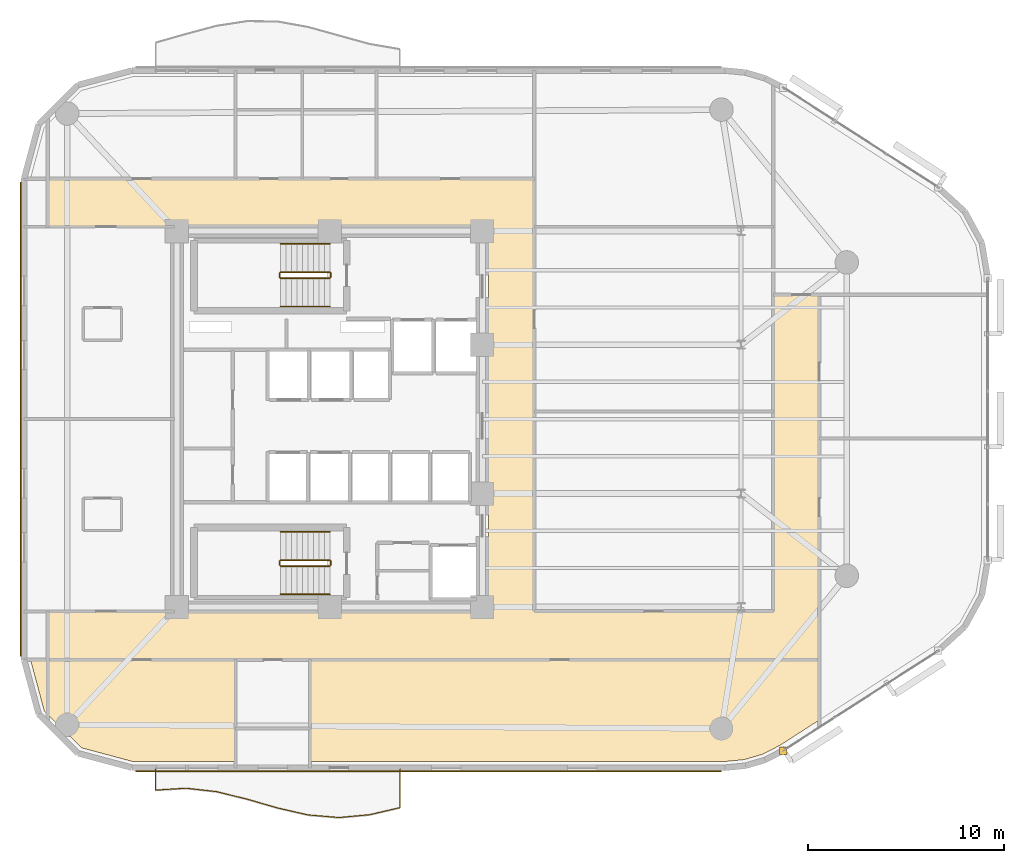
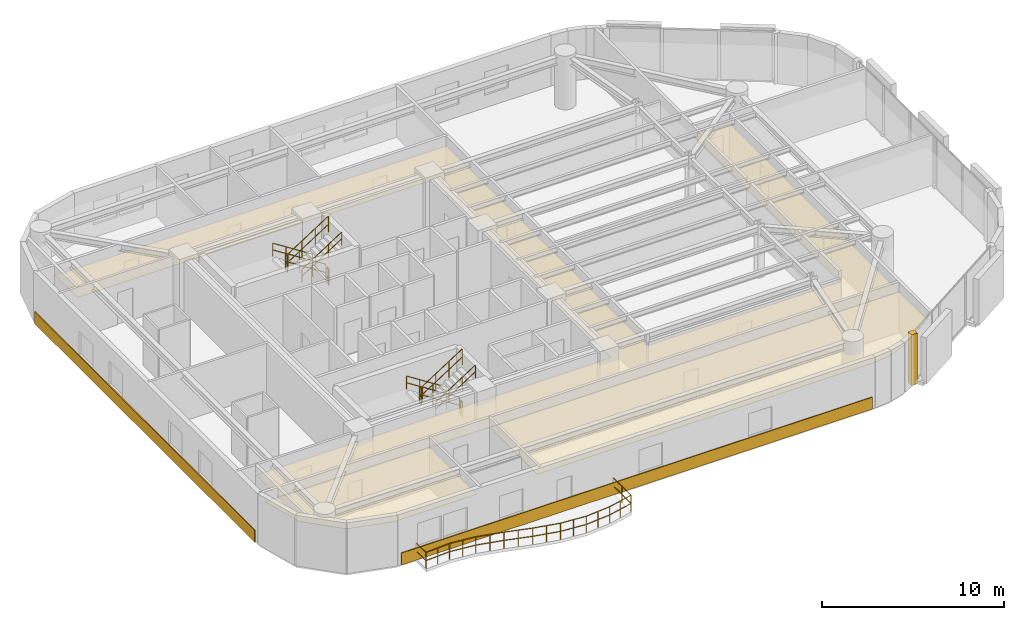
# One storey, part 14 of 15: 13 railings, 6 coverings.
"""IFC4 building model written with IfcOpenShell, lengths in metres."""

from ifc_helpers import new_model, si_unit, direction, frame, origin, origin_2d, place, context, subcontext, project, spatial, polyline, rectangle, circle, outline, extrude, material, layer, layer_set, type_object, element, save


model = new_model("IFC4")

# Units and contexts
model_context = context("Model", 3, precision=1e-05, world=origin(), true_north=direction((0.0, 1.0)))
body_context = subcontext(model_context, "Body", "Model", "MODEL_VIEW")
ifc_project = project(units=[si_unit("LENGTHUNIT", "METRE"), si_unit("AREAUNIT", "SQUARE_METRE"), si_unit("VOLUMEUNIT", "CUBIC_METRE"), si_unit("PLANEANGLEUNIT", "RADIAN"), si_unit("MASSUNIT", "GRAM", prefix="KILO")], contexts=[model_context])

# Site, building, storey
site_placement = place(None, origin())
site = spatial("IfcSite", under=ifc_project, at=site_placement, CompositionType="ELEMENT")
building_placement = place(site_placement, origin())
building = spatial("IfcBuilding", under=site, at=building_placement, Name="An Khanh Terracotta Commons", CompositionType="ELEMENT")
storey_placement = place(building_placement, frame((0.0, 0.0, 169.0)))
storey = spatial("IfcBuildingStorey", under=building, at=storey_placement, Name="L44", CompositionType="ELEMENT", Elevation=169.0)

# Coverings
ifc_material_1 = material(Name="Perforated Mineral-Fibre Acoustic Tile")
ifc_layer_1 = layer(ifc_material_1, 0.02001953125, Name="Perforated Mineral-Fibre Acoustic Tile")
ifc_layer_set_1 = layer_set([ifc_layer_1], Name="Perforated Mineral-Fibre Acoustic Tile")
covering_type_1 = type_object("IfcCoveringType", Name="CEIL-ACOUSTIC-18", PredefinedType="CEILING", material=ifc_layer_set_1)
covering_1_placement = place(storey_placement, frame((0.0, 0.0, 2.64990234375)))
element("IfcCovering", 1, at=covering_1_placement, inside=storey, type_object=covering_type_1, Name="L44 Corridor Ceiling", PredefinedType="CEILING", context=body_context, shape_type="SweptSolid", body=[
    extrude(outline(polyline([(52.050048828125, 30.35009765625), (54.39990234375, 30.35009765625), (54.39990234375, 14.179931640625), (54.39990234375, 11.719970703125), (52.050048828125, 11.719970703125), (39.85009765625, 11.719970703125), (37.5, 11.719970703125), (15.0, 11.719970703125), (15.0, 14.179931640625), (37.5, 14.179931640625), (37.5, 33.820068359375), (15.0, 33.820068359375), (15.0, 36.280029296875), (37.5, 36.280029296875), (39.85009765625, 36.280029296875), (39.85009765625, 33.820068359375), (39.85009765625, 14.179931640625), (52.050048828125, 14.179931640625), (52.050048828125, 30.35009765625)])), origin(), (0.0, 0.0, 1.0), 0.02001953125),
])
covering_2_placement = place(storey_placement, frame((0.0, 0.0, 2.64990234375)))
element("IfcCovering", 2, at=covering_2_placement, inside=storey, type_object=covering_type_1, Name="L44 Academic Seminar Room Ceiling", PredefinedType="CEILING", context=body_context, shape_type="SweptSolid", body=[
    extrude(outline(polyline([(19.342041015625, 6.52001953125), (16.716064453125, 7.22412109375), (14.823974609375, 9.115966796875), (14.1259765625, 11.719970703125), (15.0, 11.719970703125), (24.60009765625, 11.719970703125), (24.60009765625, 8.199951171875), (24.60009765625, 6.52001953125), (19.342041015625, 6.52001953125)])), origin(), (0.0, 0.0, 1.0), 0.02001953125),
])
covering_3_placement = place(storey_placement, frame((0.0, 0.0, 2.64990234375)))
element("IfcCovering", 3, at=covering_3_placement, inside=storey, type_object=covering_type_1, Name="L44 Academic Seminar Room Ceiling", PredefinedType="CEILING", context=body_context, shape_type="SweptSolid", body=[
    extrude(outline(polyline([(52.39892578125, 7.35302734375), (51.510009765625, 6.89306640625), (50.56396484375, 6.615966796875), (49.56689453125, 6.52001953125), (28.39990234375, 6.52001953125), (28.39990234375, 8.199951171875), (28.39990234375, 11.719970703125), (37.5, 11.719970703125), (39.85009765625, 11.719970703125), (52.050048828125, 11.719970703125), (54.39990234375, 11.719970703125), (54.39990234375, 8.64208984375), (52.39892578125, 7.35302734375)])), origin(), (0.0, 0.0, 1.0), 0.02001953125),
])
ifc_material_2 = material(Name="Fired Terracotta Rainscreen Cladding", Category="masonry")
ifc_layer_2 = layer(ifc_material_2, 0.080078125, Name="Fired Terracotta Rainscreen Cladding")
ifc_layer_set_2 = layer_set([ifc_layer_2], Name="Fired Terracotta Rainscreen Cladding")
covering_type_2 = type_object("IfcCoveringType", Name="COV-JAMB-TERRA", PredefinedType="CLADDING", material=ifc_layer_set_2)
covering_4_placement = place(storey_placement, frame((52.56005859375, 7.075927734375, 0.0), z_axis=(0.0, 0.0, 1.0), x_axis=(1.0, 0.0, 0.0)))
element("IfcCovering", 4, at=covering_4_placement, inside=storey, type_object=covering_type_2, Name="L44 CW-03 Curtain-Wall Jamb Closure JA", PredefinedType="CLADDING", context=body_context, shape_type="SweptSolid", body=[
    extrude(rectangle(XDim=0.3798828125, YDim=0.3798828125, at=origin_2d()), origin(), (0.0, 0.0, 1.0), 3.39990234375),
])
ifc_layer_3 = layer(ifc_material_2, 0.06005859375, Name="Fired Terracotta Rainscreen Cladding")
ifc_layer_set_3 = layer_set([ifc_layer_3], Name="Fired Terracotta Rainscreen Cladding")
covering_type_3 = type_object("IfcCoveringType", Name="COV-SPANDREL-TERRA", PredefinedType="CLADDING", material=ifc_layer_set_3)
covering_5_placement = place(storey_placement, frame((34.44091796875, 6.02001953125, 0.02001953125), z_axis=(0.0, 0.0, 1.0), x_axis=(1.0, 0.0, 0.0)))
element("IfcCovering", 5, at=covering_5_placement, inside=storey, type_object=covering_type_3, Name="L44 Terracotta Spandrel Cladding 4", PredefinedType="CLADDING", context=body_context, shape_type="SweptSolid", body=[
    extrude(rectangle(XDim=29.882080078125, YDim=0.06005859375, at=origin_2d()), origin(), (0.0, 0.0, 1.0), 0.800048828125),
])
covering_6_placement = place(storey_placement, frame((13.6201171875, 24.0, 0.02001953125), z_axis=(0.0, 0.0, 1.0), x_axis=(0.0, -1.0, 0.0)))
element("IfcCovering", 6, at=covering_6_placement, inside=storey, type_object=covering_type_3, Name="L44 Terracotta Spandrel Cladding 24", PredefinedType="CLADDING", context=body_context, shape_type="SweptSolid", body=[
    extrude(rectangle(XDim=24.199951171875, YDim=0.06005859375, at=origin_2d()), origin(), (0.0, 0.0, 1.0), 0.800048828125),
])

# Railings
ifc_material_3 = material(Name="Brushed Stainless Steel 316", Category="steel")
railing_type_1 = type_object("IfcRailingType", Name="RAIL-BALUSTRADE-1100", PredefinedType="BALUSTRADE", material=ifc_material_3)
railing_1_placement = place(storey_placement, frame((20.5, 6.139892578125, 0.0)))
element("IfcRailing", 7, at=railing_1_placement, inside=storey, type_object=railing_type_1, Name="L44 S Wave Balcony Guard Balustrade", PredefinedType="BALUSTRADE", context=body_context, shape_type="SweptSolid", body=[
    extrude(circle(Radius=0.02392578125, at=origin_2d()), frame((0.0, 0.0, 1.076171875), z_axis=(0.0, -1.0, 0.0), x_axis=(1.0, 0.0, 0.0)), (0.0, 0.0, 1.0), 1.079833984375),
    extrude(circle(Radius=0.02392578125, at=origin_2d()), frame((0.0, 0.0, 0.52587890625), z_axis=(0.0, -1.0, 0.0), x_axis=(1.0, 0.0, 0.0)), (0.0, 0.0, 1.0), 1.079833984375),
    extrude(circle(Radius=0.02392578125, at=origin_2d()), frame((0.0, -1.079833984375, 1.076171875), z_axis=(0.998080400461, 0.061931528444, 0.0), x_axis=(-0.061931528444, 0.998080400461, 0.0)), (0.0, 0.0, 1.0), 1.56494140625),
    extrude(circle(Radius=0.02392578125, at=origin_2d()), frame((0.0, -1.079833984375, 0.52587890625), z_axis=(0.998080400461, 0.061931528444, 0.0), x_axis=(-0.061931528444, 0.998080400461, 0.0)), (0.0, 0.0, 1.0), 1.56494140625),
    extrude(circle(Radius=0.02392578125, at=origin_2d()), frame((1.56201171875, -0.98291015625, 1.076171875), z_axis=(0.993786808935, -0.111300397064, 0.0), x_axis=(0.111300397064, 0.993786808935, 0.0)), (0.0, 0.0, 1.0), 1.57275390625),
    extrude(circle(Radius=0.02392578125, at=origin_2d()), frame((1.56201171875, -0.98291015625, 0.52587890625), z_axis=(0.993786808935, -0.111300397064, 0.0), x_axis=(0.111300397064, 0.993786808935, 0.0)), (0.0, 0.0, 1.0), 1.57275390625),
    extrude(circle(Radius=0.02392578125, at=origin_2d()), frame((3.125, -1.157958984375, 1.076171875), z_axis=(0.971116076052, -0.238607558205, 0.0), x_axis=(0.238607558205, 0.971116076052, 0.0)), (0.0, 0.0, 1.0), 1.609375),
    extrude(circle(Radius=0.02392578125, at=origin_2d()), frame((3.125, -1.157958984375, 0.52587890625), z_axis=(0.971116076052, -0.238607558205, 0.0), x_axis=(0.238607558205, 0.971116076052, 0.0)), (0.0, 0.0, 1.0), 1.609375),
    extrude(circle(Radius=0.02392578125, at=origin_2d()), frame((4.68798828125, -1.5419921875, 1.076171875), z_axis=(0.960606465703, -0.27791224883, 0.0), x_axis=(0.27791224883, 0.960606465703, 0.0)), (0.0, 0.0, 1.0), 1.6259765625),
    extrude(circle(Radius=0.02392578125, at=origin_2d()), frame((4.68798828125, -1.5419921875, 0.52587890625), z_axis=(0.960606465703, -0.27791224883, 0.0), x_axis=(0.27791224883, 0.960606465703, 0.0)), (0.0, 0.0, 1.0), 1.6259765625),
    extrude(circle(Radius=0.02392578125, at=origin_2d()), frame((6.25, -1.993896484375, 1.076171875), z_axis=(0.975003951469, -0.222187521295, 0.0), x_axis=(0.222187521295, 0.975003951469, 0.0)), (0.0, 0.0, 1.0), 1.60205078125),
    extrude(circle(Radius=0.02392578125, at=origin_2d()), frame((6.25, -1.993896484375, 0.52587890625), z_axis=(0.975003951469, -0.222187521295, 0.0), x_axis=(0.222187521295, 0.975003951469, 0.0)), (0.0, 0.0, 1.0), 1.60205078125),
    extrude(circle(Radius=0.02392578125, at=origin_2d()), frame((7.81201171875, -2.349853515625, 1.076171875), z_axis=(0.99655219646, -0.082968185054, 0.0), x_axis=(0.082968185054, 0.99655219646, 0.0)), (0.0, 0.0, 1.0), 1.568359375),
    extrude(circle(Radius=0.02392578125, at=origin_2d()), frame((7.81201171875, -2.349853515625, 0.52587890625), z_axis=(0.99655219646, -0.082968185054, 0.0), x_axis=(0.082968185054, 0.99655219646, 0.0)), (0.0, 0.0, 1.0), 1.568359375),
    extrude(circle(Radius=0.02392578125, at=origin_2d()), frame((9.375, -2.47998046875, 1.076171875), z_axis=(0.995780247509, 0.091769813501, 0.0), x_axis=(-0.091769813501, 0.995780247509, 0.0)), (0.0, 0.0, 1.0), 1.569580078125),
    extrude(circle(Radius=0.02392578125, at=origin_2d()), frame((9.375, -2.47998046875, 0.52587890625), z_axis=(0.995780247509, 0.091769813501, 0.0), x_axis=(-0.091769813501, 0.995780247509, 0.0)), (0.0, 0.0, 1.0), 1.569580078125),
    extrude(circle(Radius=0.02392578125, at=origin_2d()), frame((10.93798828125, -2.3359375, 1.076171875), z_axis=(0.973769311576, 0.227537530604, 0.0), x_axis=(-0.227537530604, 0.973769311576, 0.0)), (0.0, 0.0, 1.0), 1.60400390625),
    extrude(circle(Radius=0.02392578125, at=origin_2d()), frame((10.93798828125, -2.3359375, 0.52587890625), z_axis=(0.973769311576, 0.227537530604, 0.0), x_axis=(-0.227537530604, 0.973769311576, 0.0)), (0.0, 0.0, 1.0), 1.60400390625),
    extrude(circle(Radius=0.02392578125, at=origin_2d()), frame((12.5, -1.970947265625, 1.076171875), z_axis=(0.0, 1.0, 0.0), x_axis=(-1.0, 0.0, 0.0)), (0.0, 0.0, 1.0), 1.970947265625),
    extrude(circle(Radius=0.02392578125, at=origin_2d()), frame((12.5, -1.970947265625, 0.52587890625), z_axis=(0.0, 1.0, 0.0), x_axis=(-1.0, 0.0, 0.0)), (0.0, 0.0, 1.0), 1.970947265625),
    extrude(circle(Radius=0.02099609375, at=origin_2d()), origin(), (0.0, 0.0, 1.0), 1.052001953125),
    extrude(circle(Radius=0.02099609375, at=origin_2d()), frame((0.0, -1.079833984375, 0.0)), (0.0, 0.0, 1.0), 1.052001953125),
    extrude(circle(Radius=0.02099609375, at=origin_2d()), frame((0.781005859375, -1.03125, 0.0)), (0.0, 0.0, 1.0), 1.052001953125),
    extrude(circle(Radius=0.02099609375, at=origin_2d()), frame((1.56201171875, -0.98291015625, 0.0)), (0.0, 0.0, 1.0), 1.052001953125),
    extrude(circle(Radius=0.02099609375, at=origin_2d()), frame((2.343505859375, -1.0703125, 0.0)), (0.0, 0.0, 1.0), 1.052001953125),
    extrude(circle(Radius=0.02099609375, at=origin_2d()), frame((3.125, -1.157958984375, 0.0)), (0.0, 0.0, 1.0), 1.052001953125),
    extrude(circle(Radius=0.02099609375, at=origin_2d()), frame((3.906494140625, -1.35009765625, 0.0)), (0.0, 0.0, 1.0), 1.052001953125),
    extrude(circle(Radius=0.02099609375, at=origin_2d()), frame((4.68798828125, -1.5419921875, 0.0)), (0.0, 0.0, 1.0), 1.052001953125),
    extrude(circle(Radius=0.02099609375, at=origin_2d()), frame((5.468994140625, -1.76806640625, 0.0)), (0.0, 0.0, 1.0), 1.052001953125),
    extrude(circle(Radius=0.02099609375, at=origin_2d()), frame((6.25, -1.993896484375, 0.0)), (0.0, 0.0, 1.0), 1.052001953125),
    extrude(circle(Radius=0.02099609375, at=origin_2d()), frame((7.031005859375, -2.171875, 0.0)), (0.0, 0.0, 1.0), 1.052001953125),
    extrude(circle(Radius=0.02099609375, at=origin_2d()), frame((7.81201171875, -2.349853515625, 0.0)), (0.0, 0.0, 1.0), 1.052001953125),
    extrude(circle(Radius=0.02099609375, at=origin_2d()), frame((8.593505859375, -2.4150390625, 0.0)), (0.0, 0.0, 1.0), 1.052001953125),
    extrude(circle(Radius=0.02099609375, at=origin_2d()), frame((9.375, -2.47998046875, 0.0)), (0.0, 0.0, 1.0), 1.052001953125),
    extrude(circle(Radius=0.02099609375, at=origin_2d()), frame((10.156494140625, -2.407958984375, 0.0)), (0.0, 0.0, 1.0), 1.052001953125),
    extrude(circle(Radius=0.02099609375, at=origin_2d()), frame((10.93798828125, -2.3359375, 0.0)), (0.0, 0.0, 1.0), 1.052001953125),
    extrude(circle(Radius=0.02099609375, at=origin_2d()), frame((11.718994140625, -2.1533203125, 0.0)), (0.0, 0.0, 1.0), 1.052001953125),
    extrude(circle(Radius=0.02099609375, at=origin_2d()), frame((12.5, -1.970947265625, 0.0)), (0.0, 0.0, 1.0), 1.052001953125),
    extrude(circle(Radius=0.02099609375, at=origin_2d()), frame((12.5, -0.9853515625, 0.0)), (0.0, 0.0, 1.0), 1.052001953125),
    extrude(circle(Radius=0.02099609375, at=origin_2d()), frame((12.5, 0.0, 0.0)), (0.0, 0.0, 1.0), 1.052001953125),
])
railing_type_2 = type_object("IfcRailingType", Name="RAIL-HANDRAIL-900", PredefinedType="HANDRAIL", material=ifc_material_3)
railing_2_placement = place(storey_placement, frame((29.409912109375, 32.949951171875, 0.179931640625)))
element("IfcRailing", 8, at=railing_2_placement, inside=storey, type_object=railing_type_2, Name="L44 ST-01 stair handrail 1", PredefinedType="HANDRAIL", context=body_context, shape_type="SweptSolid", body=[
    extrude(circle(Radius=0.02392578125, at=origin_2d()), frame((0.0, 0.0, 0.8759765625), z_axis=(-0.841162588446, 0.0, 0.540782303519), x_axis=(0.0, -1.0, 0.0)), (0.0, 0.0, 1.0), 2.995849609375),
    extrude(circle(Radius=0.02392578125, at=origin_2d()), frame((0.0, 0.0, 0.42578125), z_axis=(-0.841162588446, 0.0, 0.540782303519), x_axis=(0.0, -1.0, 0.0)), (0.0, 0.0, 1.0), 2.995849609375),
    extrude(circle(Radius=0.02099609375, at=origin_2d()), origin(), (0.0, 0.0, 1.0), 0.851806640625),
    extrude(circle(Radius=0.02099609375, at=origin_2d()), frame((-0.840087890625, 0.0, 0.5400390625)), (0.0, 0.0, 1.0), 0.851806640625),
    extrude(circle(Radius=0.02099609375, at=origin_2d()), frame((-1.679931640625, 0.0, 1.080078125)), (0.0, 0.0, 1.0), 0.851806640625),
    extrude(circle(Radius=0.02099609375, at=origin_2d()), frame((-2.52001953125, 0.0, 1.6201171875)), (0.0, 0.0, 1.0), 0.851806640625),
])
railing_3_placement = place(storey_placement, frame((26.889892578125, 29.75, 1.97998046875)))
element("IfcRailing", 9, at=railing_3_placement, inside=storey, type_object=railing_type_2, Name="L44 ST-01 stair handrail 2", PredefinedType="HANDRAIL", context=body_context, shape_type="SweptSolid", body=[
    extrude(circle(Radius=0.02392578125, at=origin_2d()), frame((0.0, 0.0, 0.8759765625), z_axis=(0.841162588446, 0.0, 0.540782303519), x_axis=(0.0, 1.0, 0.0)), (0.0, 0.0, 1.0), 2.995849609375),
    extrude(circle(Radius=0.02392578125, at=origin_2d()), frame((0.0, 0.0, 0.42578125), z_axis=(0.841162588446, 0.0, 0.540782303519), x_axis=(0.0, 1.0, 0.0)), (0.0, 0.0, 1.0), 2.995849609375),
    extrude(circle(Radius=0.02099609375, at=origin_2d()), origin(), (0.0, 0.0, 1.0), 0.851806640625),
    extrude(circle(Radius=0.02099609375, at=origin_2d()), frame((0.840087890625, 0.0, 0.5400390625)), (0.0, 0.0, 1.0), 0.851806640625),
    extrude(circle(Radius=0.02099609375, at=origin_2d()), frame((1.679931640625, 0.0, 1.080078125)), (0.0, 0.0, 1.0), 0.851806640625),
    extrude(circle(Radius=0.02099609375, at=origin_2d()), frame((2.52001953125, 0.0, 1.6201171875)), (0.0, 0.0, 1.0), 0.851806640625),
])
railing_4_placement = place(storey_placement, frame((29.409912109375, 18.25, 0.179931640625)))
element("IfcRailing", 10, at=railing_4_placement, inside=storey, type_object=railing_type_2, Name="L44 ST-02 stair handrail 1", PredefinedType="HANDRAIL", context=body_context, shape_type="SweptSolid", body=[
    extrude(circle(Radius=0.02392578125, at=origin_2d()), frame((0.0, 0.0, 0.8759765625), z_axis=(-0.841162588446, 0.0, 0.540782303519), x_axis=(0.0, -1.0, 0.0)), (0.0, 0.0, 1.0), 2.995849609375),
    extrude(circle(Radius=0.02392578125, at=origin_2d()), frame((0.0, 0.0, 0.42578125), z_axis=(-0.841162588446, 0.0, 0.540782303519), x_axis=(0.0, -1.0, 0.0)), (0.0, 0.0, 1.0), 2.995849609375),
    extrude(circle(Radius=0.02099609375, at=origin_2d()), origin(), (0.0, 0.0, 1.0), 0.851806640625),
    extrude(circle(Radius=0.02099609375, at=origin_2d()), frame((-0.840087890625, 0.0, 0.5400390625)), (0.0, 0.0, 1.0), 0.851806640625),
    extrude(circle(Radius=0.02099609375, at=origin_2d()), frame((-1.679931640625, 0.0, 1.080078125)), (0.0, 0.0, 1.0), 0.851806640625),
    extrude(circle(Radius=0.02099609375, at=origin_2d()), frame((-2.52001953125, 0.0, 1.6201171875)), (0.0, 0.0, 1.0), 0.851806640625),
])
railing_5_placement = place(storey_placement, frame((26.889892578125, 15.050048828125, 1.97998046875)))
element("IfcRailing", 11, at=railing_5_placement, inside=storey, type_object=railing_type_2, Name="L44 ST-02 stair handrail 2", PredefinedType="HANDRAIL", context=body_context, shape_type="SweptSolid", body=[
    extrude(circle(Radius=0.02392578125, at=origin_2d()), frame((0.0, 0.0, 0.8759765625), z_axis=(0.841162588446, 0.0, 0.540782303519), x_axis=(0.0, 1.0, 0.0)), (0.0, 0.0, 1.0), 2.995849609375),
    extrude(circle(Radius=0.02392578125, at=origin_2d()), frame((0.0, 0.0, 0.42578125), z_axis=(0.841162588446, 0.0, 0.540782303519), x_axis=(0.0, 1.0, 0.0)), (0.0, 0.0, 1.0), 2.995849609375),
    extrude(circle(Radius=0.02099609375, at=origin_2d()), origin(), (0.0, 0.0, 1.0), 0.851806640625),
    extrude(circle(Radius=0.02099609375, at=origin_2d()), frame((0.840087890625, 0.0, 0.5400390625)), (0.0, 0.0, 1.0), 0.851806640625),
    extrude(circle(Radius=0.02099609375, at=origin_2d()), frame((1.679931640625, 0.0, 1.080078125)), (0.0, 0.0, 1.0), 0.851806640625),
    extrude(circle(Radius=0.02099609375, at=origin_2d()), frame((2.52001953125, 0.0, 1.6201171875)), (0.0, 0.0, 1.0), 0.851806640625),
])
ifc_material_4 = material(Name="Powder-Coated Steel S355J2", Category="steel")
railing_type_3 = type_object("IfcRailingType", Name="RAIL-STAIR-GUARD-1100", PredefinedType="BALUSTRADE", material=ifc_material_4)
railing_6_placement = place(storey_placement, frame((29.409912109375, 31.5, 0.179931640625)))
element("IfcRailing", 12, at=railing_6_placement, inside=storey, type_object=railing_type_3, Name="L44 ST-01 stair guard 1", PredefinedType="BALUSTRADE", context=body_context, shape_type="SweptSolid", body=[
    extrude(circle(Radius=0.02392578125, at=origin_2d()), frame((0.0, 0.0, 1.076171875), z_axis=(-0.841162588446, 0.0, 0.540782303519), x_axis=(0.0, -1.0, 0.0)), (0.0, 0.0, 1.0), 2.995849609375),
    extrude(circle(Radius=0.02392578125, at=origin_2d()), frame((0.0, 0.0, 0.52587890625), z_axis=(-0.841162588446, 0.0, 0.540782303519), x_axis=(0.0, -1.0, 0.0)), (0.0, 0.0, 1.0), 2.995849609375),
    extrude(circle(Radius=0.02099609375, at=origin_2d()), origin(), (0.0, 0.0, 1.0), 1.052001953125),
    extrude(circle(Radius=0.02099609375, at=origin_2d()), frame((-0.840087890625, 0.0, 0.5400390625)), (0.0, 0.0, 1.0), 1.052001953125),
    extrude(circle(Radius=0.02099609375, at=origin_2d()), frame((-1.679931640625, 0.0, 1.080078125)), (0.0, 0.0, 1.0), 1.052001953125),
    extrude(circle(Radius=0.02099609375, at=origin_2d()), frame((-2.52001953125, 0.0, 1.6201171875)), (0.0, 0.0, 1.0), 1.052001953125),
])
railing_7_placement = place(storey_placement, frame((26.840087890625, 31.449951171875, 1.800048828125)))
element("IfcRailing", 13, at=railing_7_placement, inside=storey, type_object=railing_type_3, Name="L44 ST-01 stair guard 2", PredefinedType="BALUSTRADE", context=body_context, shape_type="SweptSolid", body=[
    extrude(circle(Radius=0.02392578125, at=origin_2d()), frame((0.0, 0.0, 1.076171875), z_axis=(0.0, -1.0, 0.0), x_axis=(1.0, 0.0, 0.0)), (0.0, 0.0, 1.0), 0.199951171875),
    extrude(circle(Radius=0.02392578125, at=origin_2d()), frame((0.0, 0.0, 0.52587890625), z_axis=(0.0, -1.0, 0.0), x_axis=(1.0, 0.0, 0.0)), (0.0, 0.0, 1.0), 0.199951171875),
    extrude(circle(Radius=0.02099609375, at=origin_2d()), origin(), (0.0, 0.0, 1.0), 1.052001953125),
    extrude(circle(Radius=0.02099609375, at=origin_2d()), frame((0.0, -0.199951171875, 0.0)), (0.0, 0.0, 1.0), 1.052001953125),
])
railing_8_placement = place(storey_placement, frame((26.889892578125, 31.199951171875, 1.97998046875)))
element("IfcRailing", 14, at=railing_8_placement, inside=storey, type_object=railing_type_3, Name="L44 ST-01 stair guard 3", PredefinedType="BALUSTRADE", context=body_context, shape_type="SweptSolid", body=[
    extrude(circle(Radius=0.02392578125, at=origin_2d()), frame((0.0, 0.0, 1.076171875), z_axis=(0.841162588446, 0.0, 0.540782303519), x_axis=(0.0, 1.0, 0.0)), (0.0, 0.0, 1.0), 2.995849609375),
    extrude(circle(Radius=0.02392578125, at=origin_2d()), frame((0.0, 0.0, 0.52587890625), z_axis=(0.841162588446, 0.0, 0.540782303519), x_axis=(0.0, 1.0, 0.0)), (0.0, 0.0, 1.0), 2.995849609375),
    extrude(circle(Radius=0.02099609375, at=origin_2d()), origin(), (0.0, 0.0, 1.0), 1.052001953125),
    extrude(circle(Radius=0.02099609375, at=origin_2d()), frame((0.840087890625, 0.0, 0.5400390625)), (0.0, 0.0, 1.0), 1.052001953125),
    extrude(circle(Radius=0.02099609375, at=origin_2d()), frame((1.679931640625, 0.0, 1.080078125)), (0.0, 0.0, 1.0), 1.052001953125),
    extrude(circle(Radius=0.02099609375, at=origin_2d()), frame((2.52001953125, 0.0, 1.6201171875)), (0.0, 0.0, 1.0), 1.052001953125),
])
railing_9_placement = place(storey_placement, frame((29.4599609375, 31.449951171875, 0.0)))
element("IfcRailing", 15, at=railing_9_placement, inside=storey, type_object=railing_type_3, Name="L44 ST-01 stair guard 4", PredefinedType="BALUSTRADE", context=body_context, shape_type="SweptSolid", body=[
    extrude(circle(Radius=0.02392578125, at=origin_2d()), frame((0.0, 0.0, 1.076171875), z_axis=(0.0, -1.0, 0.0), x_axis=(1.0, 0.0, 0.0)), (0.0, 0.0, 1.0), 0.199951171875),
    extrude(circle(Radius=0.02392578125, at=origin_2d()), frame((0.0, 0.0, 0.52587890625), z_axis=(0.0, -1.0, 0.0), x_axis=(1.0, 0.0, 0.0)), (0.0, 0.0, 1.0), 0.199951171875),
    extrude(circle(Radius=0.02099609375, at=origin_2d()), origin(), (0.0, 0.0, 1.0), 1.052001953125),
    extrude(circle(Radius=0.02099609375, at=origin_2d()), frame((0.0, -0.199951171875, 0.0)), (0.0, 0.0, 1.0), 1.052001953125),
])
railing_10_placement = place(storey_placement, frame((29.409912109375, 16.800048828125, 0.179931640625)))
element("IfcRailing", 16, at=railing_10_placement, inside=storey, type_object=railing_type_3, Name="L44 ST-02 stair guard 1", PredefinedType="BALUSTRADE", context=body_context, shape_type="SweptSolid", body=[
    extrude(circle(Radius=0.02392578125, at=origin_2d()), frame((0.0, 0.0, 1.076171875), z_axis=(-0.841162588446, 0.0, 0.540782303519), x_axis=(0.0, -1.0, 0.0)), (0.0, 0.0, 1.0), 2.995849609375),
    extrude(circle(Radius=0.02392578125, at=origin_2d()), frame((0.0, 0.0, 0.52587890625), z_axis=(-0.841162588446, 0.0, 0.540782303519), x_axis=(0.0, -1.0, 0.0)), (0.0, 0.0, 1.0), 2.995849609375),
    extrude(circle(Radius=0.02099609375, at=origin_2d()), origin(), (0.0, 0.0, 1.0), 1.052001953125),
    extrude(circle(Radius=0.02099609375, at=origin_2d()), frame((-0.840087890625, 0.0, 0.5400390625)), (0.0, 0.0, 1.0), 1.052001953125),
    extrude(circle(Radius=0.02099609375, at=origin_2d()), frame((-1.679931640625, 0.0, 1.080078125)), (0.0, 0.0, 1.0), 1.052001953125),
    extrude(circle(Radius=0.02099609375, at=origin_2d()), frame((-2.52001953125, 0.0, 1.6201171875)), (0.0, 0.0, 1.0), 1.052001953125),
])
railing_11_placement = place(storey_placement, frame((26.840087890625, 16.75, 1.800048828125)))
element("IfcRailing", 17, at=railing_11_placement, inside=storey, type_object=railing_type_3, Name="L44 ST-02 stair guard 2", PredefinedType="BALUSTRADE", context=body_context, shape_type="SweptSolid", body=[
    extrude(circle(Radius=0.02392578125, at=origin_2d()), frame((0.0, 0.0, 1.076171875), z_axis=(0.0, -1.0, 0.0), x_axis=(1.0, 0.0, 0.0)), (0.0, 0.0, 1.0), 0.199951171875),
    extrude(circle(Radius=0.02392578125, at=origin_2d()), frame((0.0, 0.0, 0.52587890625), z_axis=(0.0, -1.0, 0.0), x_axis=(1.0, 0.0, 0.0)), (0.0, 0.0, 1.0), 0.199951171875),
    extrude(circle(Radius=0.02099609375, at=origin_2d()), origin(), (0.0, 0.0, 1.0), 1.052001953125),
    extrude(circle(Radius=0.02099609375, at=origin_2d()), frame((0.0, -0.199951171875, 0.0)), (0.0, 0.0, 1.0), 1.052001953125),
])
railing_12_placement = place(storey_placement, frame((26.889892578125, 16.5, 1.97998046875)))
element("IfcRailing", 18, at=railing_12_placement, inside=storey, type_object=railing_type_3, Name="L44 ST-02 stair guard 3", PredefinedType="BALUSTRADE", context=body_context, shape_type="SweptSolid", body=[
    extrude(circle(Radius=0.02392578125, at=origin_2d()), frame((0.0, 0.0, 1.076171875), z_axis=(0.841162588446, 0.0, 0.540782303519), x_axis=(0.0, 1.0, 0.0)), (0.0, 0.0, 1.0), 2.995849609375),
    extrude(circle(Radius=0.02392578125, at=origin_2d()), frame((0.0, 0.0, 0.52587890625), z_axis=(0.841162588446, 0.0, 0.540782303519), x_axis=(0.0, 1.0, 0.0)), (0.0, 0.0, 1.0), 2.995849609375),
    extrude(circle(Radius=0.02099609375, at=origin_2d()), origin(), (0.0, 0.0, 1.0), 1.052001953125),
    extrude(circle(Radius=0.02099609375, at=origin_2d()), frame((0.840087890625, 0.0, 0.5400390625)), (0.0, 0.0, 1.0), 1.052001953125),
    extrude(circle(Radius=0.02099609375, at=origin_2d()), frame((1.679931640625, 0.0, 1.080078125)), (0.0, 0.0, 1.0), 1.052001953125),
    extrude(circle(Radius=0.02099609375, at=origin_2d()), frame((2.52001953125, 0.0, 1.6201171875)), (0.0, 0.0, 1.0), 1.052001953125),
])
railing_13_placement = place(storey_placement, frame((29.4599609375, 16.75, 0.0)))
element("IfcRailing", 19, at=railing_13_placement, inside=storey, type_object=railing_type_3, Name="L44 ST-02 stair guard 4", PredefinedType="BALUSTRADE", context=body_context, shape_type="SweptSolid", body=[
    extrude(circle(Radius=0.02392578125, at=origin_2d()), frame((0.0, 0.0, 1.076171875), z_axis=(0.0, -1.0, 0.0), x_axis=(1.0, 0.0, 0.0)), (0.0, 0.0, 1.0), 0.199951171875),
    extrude(circle(Radius=0.02392578125, at=origin_2d()), frame((0.0, 0.0, 0.52587890625), z_axis=(0.0, -1.0, 0.0), x_axis=(1.0, 0.0, 0.0)), (0.0, 0.0, 1.0), 0.199951171875),
    extrude(circle(Radius=0.02099609375, at=origin_2d()), origin(), (0.0, 0.0, 1.0), 1.052001953125),
    extrude(circle(Radius=0.02099609375, at=origin_2d()), frame((0.0, -0.199951171875, 0.0)), (0.0, 0.0, 1.0), 1.052001953125),
])

save(model, "model.ifc")
